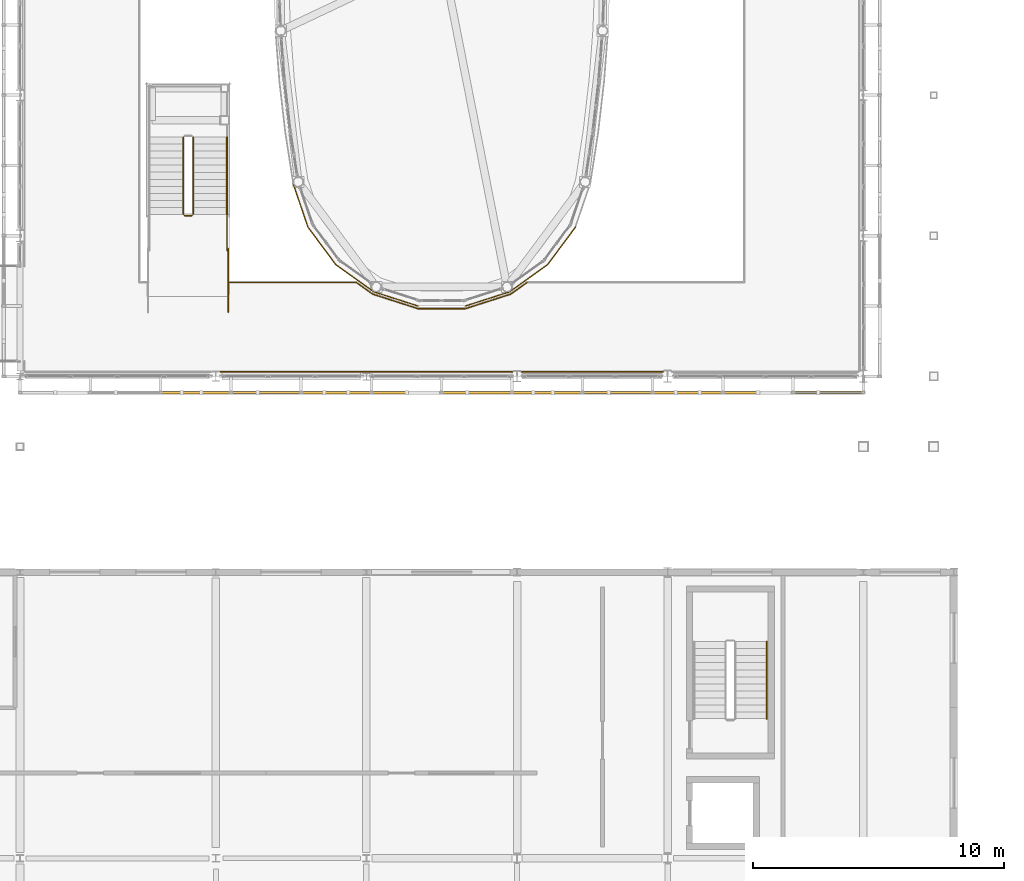
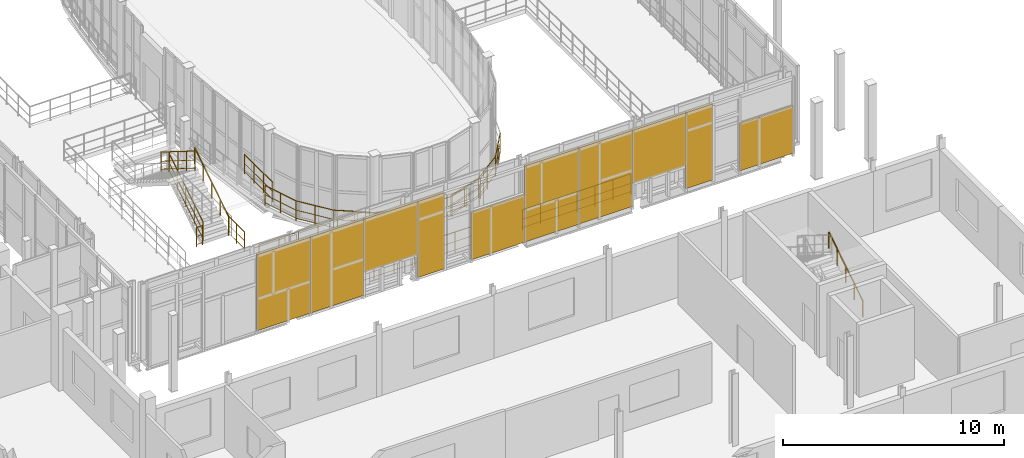
# One storey, part 111 of 121: 17 railings, 10 shading devices.
"""IFC4 building model written with IfcOpenShell, lengths in metres."""

from ifc_helpers import new_model, si_unit, direction, frame, origin, origin_2d, place, context, subcontext, project, spatial, rectangle, circle, extrude, material, type_object, element, save


model = new_model("IFC4")

# Units and contexts
model_context = context("Model", 3, precision=1e-05, world=origin(), true_north=direction((0.0, 1.0)))
body_context = subcontext(model_context, "Body", "Model", "MODEL_VIEW")
ifc_project = project(units=[si_unit("LENGTHUNIT", "METRE"), si_unit("AREAUNIT", "SQUARE_METRE"), si_unit("VOLUMEUNIT", "CUBIC_METRE"), si_unit("PLANEANGLEUNIT", "RADIAN"), si_unit("MASSUNIT", "GRAM", prefix="KILO")], contexts=[model_context])

# Site, building, storey
site_placement = place(None, origin())
site = spatial("IfcSite", under=ifc_project, at=site_placement, CompositionType="ELEMENT")
building_placement = place(site_placement, origin())
building = spatial("IfcBuilding", under=site, at=building_placement, Name="Vinh Khe Railworks Police Headquarters", CompositionType="ELEMENT")
storey_placement = place(building_placement, frame((0.0, 0.0, 4.800048828125)))
storey = spatial("IfcBuildingStorey", under=building, at=storey_placement, Name="L01", CompositionType="ELEMENT", Elevation=4.800048828125)

# Railings
ifc_material_1 = material(Name="Dark steel and laminated safety glass", Category="steel")
railing_type_1 = type_object("IfcRailingType", Name="RL-ATRIUM-1150", PredefinedType="BALUSTRADE", material=ifc_material_1)
railing_1_placement = place(storey_placement, frame((33.300048828125, 31.64990234375, 0.175048828125)))
element("IfcRailing", 1, at=railing_1_placement, inside=storey, type_object=railing_type_1, Name="L01 ST-08 stair guard 1", PredefinedType="BALUSTRADE", context=body_context, shape_type="SweptSolid", body=[
    extrude(circle(Radius=0.02392578125, at=origin_2d()), frame((0.0, 0.0, 1.076171875), z_axis=(0.0, 0.848028513186, 0.529950602248), x_axis=(-1.0, 0.0, 0.0)), (0.0, 0.0, 1.0), 3.632080078125),
    extrude(circle(Radius=0.01416015625, at=origin_2d()), frame((0.0, 0.0, 0.132080078125), z_axis=(0.0, 0.848028513186, 0.529950602248), x_axis=(-1.0, 0.0, 0.0)), (0.0, 0.0, 1.0), 3.632080078125),
    extrude(circle(Radius=0.01416015625, at=origin_2d()), frame((0.0, 0.0, 0.572021484375), z_axis=(0.0, 0.848028513186, 0.529950602248), x_axis=(-1.0, 0.0, 0.0)), (0.0, 0.0, 1.0), 3.632080078125),
    extrude(circle(Radius=0.02099609375, at=origin_2d()), origin(), (0.0, 0.0, 1.0), 1.052001953125),
    extrude(circle(Radius=0.02099609375, at=origin_2d()), frame((0.0, 0.77001953125, 0.481201171875)), (0.0, 0.0, 1.0), 1.052001953125),
    extrude(circle(Radius=0.02099609375, at=origin_2d()), frame((0.0, 1.5400390625, 0.96240234375)), (0.0, 0.0, 1.0), 1.052001953125),
    extrude(circle(Radius=0.02099609375, at=origin_2d()), frame((0.0, 2.31005859375, 1.443603515625)), (0.0, 0.0, 1.0), 1.052001953125),
    extrude(circle(Radius=0.02099609375, at=origin_2d()), frame((0.0, 3.080078125, 1.9248046875)), (0.0, 0.0, 1.0), 1.052001953125),
])
railing_2_placement = place(storey_placement, frame((32.89990234375, 34.72998046875, 2.27490234375)))
element("IfcRailing", 2, at=railing_2_placement, inside=storey, type_object=railing_type_1, Name="L01 ST-08 stair guard 6", PredefinedType="BALUSTRADE", context=body_context, shape_type="SweptSolid", body=[
    extrude(circle(Radius=0.02392578125, at=origin_2d()), frame((0.0, 0.0, 1.076171875), z_axis=(0.0, -0.847998304005, 0.529998940003), x_axis=(1.0, 0.0, 0.0)), (0.0, 0.0, 1.0), 3.632080078125),
    extrude(circle(Radius=0.01416015625, at=origin_2d()), frame((0.0, 0.0, 0.132080078125), z_axis=(0.0, -0.847998304005, 0.529998940003), x_axis=(1.0, 0.0, 0.0)), (0.0, 0.0, 1.0), 3.632080078125),
    extrude(circle(Radius=0.01416015625, at=origin_2d()), frame((0.0, 0.0, 0.572021484375), z_axis=(0.0, -0.847998304005, 0.529998940003), x_axis=(1.0, 0.0, 0.0)), (0.0, 0.0, 1.0), 3.632080078125),
    extrude(circle(Radius=0.02099609375, at=origin_2d()), origin(), (0.0, 0.0, 1.0), 1.052001953125),
    extrude(circle(Radius=0.02099609375, at=origin_2d()), frame((0.0, -0.77001953125, 0.481201171875)), (0.0, 0.0, 1.0), 1.052001953125),
    extrude(circle(Radius=0.02099609375, at=origin_2d()), frame((0.0, -1.5400390625, 0.96240234375)), (0.0, 0.0, 1.0), 1.052001953125),
    extrude(circle(Radius=0.02099609375, at=origin_2d()), frame((0.0, -2.31005859375, 1.44384765625)), (0.0, 0.0, 1.0), 1.052001953125),
    extrude(circle(Radius=0.02099609375, at=origin_2d()), frame((0.0, -3.080078125, 1.925048828125)), (0.0, 0.0, 1.0), 1.052001953125),
])
railing_3_placement = place(storey_placement, frame((33.25, 31.60009765625, 0.0)))
element("IfcRailing", 3, at=railing_3_placement, inside=storey, type_object=railing_type_1, Name="L01 ST-08 stair guard 7", PredefinedType="BALUSTRADE", context=body_context, shape_type="SweptSolid", body=[
    extrude(circle(Radius=0.02392578125, at=origin_2d()), frame((0.0, 0.0, 1.076171875), z_axis=(-1.0, 0.0, 0.0), x_axis=(0.0, -1.0, 0.0)), (0.0, 0.0, 1.0), 0.300048828125),
    extrude(circle(Radius=0.01416015625, at=origin_2d()), frame((0.0, 0.0, 0.132080078125), z_axis=(-1.0, 0.0, 0.0), x_axis=(0.0, -1.0, 0.0)), (0.0, 0.0, 1.0), 0.300048828125),
    extrude(circle(Radius=0.01416015625, at=origin_2d()), frame((0.0, 0.0, 0.572021484375), z_axis=(-1.0, 0.0, 0.0), x_axis=(0.0, -1.0, 0.0)), (0.0, 0.0, 1.0), 0.300048828125),
    extrude(circle(Radius=0.02099609375, at=origin_2d()), origin(), (0.0, 0.0, 1.0), 1.052001953125),
    extrude(circle(Radius=0.02099609375, at=origin_2d()), frame((-0.300048828125, 0.0, 0.0)), (0.0, 0.0, 1.0), 1.052001953125),
])
railing_4_placement = place(storey_placement, frame((34.64990234375, 30.199951171875, 0.0)))
element("IfcRailing", 4, at=railing_4_placement, inside=storey, type_object=railing_type_1, Name="L01 ST-08 stair guard 8", PredefinedType="BALUSTRADE", context=body_context, shape_type="SweptSolid", body=[
    extrude(circle(Radius=0.02392578125, at=origin_2d()), frame((0.0, 0.0, 1.076171875), z_axis=(0.0, 1.0, 0.0), x_axis=(-1.0, 0.0, 0.0)), (0.0, 0.0, 1.0), 1.449951171875),
    extrude(circle(Radius=0.01416015625, at=origin_2d()), frame((0.0, 0.0, 0.132080078125), z_axis=(0.0, 1.0, 0.0), x_axis=(-1.0, 0.0, 0.0)), (0.0, 0.0, 1.0), 1.449951171875),
    extrude(circle(Radius=0.01416015625, at=origin_2d()), frame((0.0, 0.0, 0.572021484375), z_axis=(0.0, 1.0, 0.0), x_axis=(-1.0, 0.0, 0.0)), (0.0, 0.0, 1.0), 1.449951171875),
    extrude(circle(Radius=0.02099609375, at=origin_2d()), origin(), (0.0, 0.0, 1.0), 1.052001953125),
    extrude(circle(Radius=0.02099609375, at=origin_2d()), frame((0.0, 0.72509765625, 0.0)), (0.0, 0.0, 1.0), 1.052001953125),
    extrude(circle(Radius=0.02099609375, at=origin_2d()), frame((0.0, 1.449951171875, 0.0)), (0.0, 0.0, 1.0), 1.052001953125),
])
railing_5_placement = place(storey_placement, frame((34.699951171875, 27.75, 4.199951171875)))
element("IfcRailing", 5, at=railing_5_placement, inside=storey, type_object=railing_type_1, Name="L01 ST-08 stair guard 14", PredefinedType="BALUSTRADE", context=body_context, shape_type="SweptSolid", body=[
    extrude(circle(Radius=0.02392578125, at=origin_2d()), frame((0.0, 0.0, 1.076171875), z_axis=(0.0, 1.0, 0.0), x_axis=(-1.0, 0.0, 0.0)), (0.0, 0.0, 1.0), 2.550048828125),
    extrude(circle(Radius=0.01416015625, at=origin_2d()), frame((0.0, 0.0, 0.132080078125), z_axis=(0.0, 1.0, 0.0), x_axis=(-1.0, 0.0, 0.0)), (0.0, 0.0, 1.0), 2.550048828125),
    extrude(circle(Radius=0.01416015625, at=origin_2d()), frame((0.0, 0.0, 0.572021484375), z_axis=(0.0, 1.0, 0.0), x_axis=(-1.0, 0.0, 0.0)), (0.0, 0.0, 1.0), 2.550048828125),
    extrude(circle(Radius=0.02099609375, at=origin_2d()), origin(), (0.0, 0.0, 1.0), 1.052001953125),
    extrude(circle(Radius=0.02099609375, at=origin_2d()), frame((0.0, 0.85009765625, 0.0)), (0.0, 0.0, 1.0), 1.052001953125),
    extrude(circle(Radius=0.02099609375, at=origin_2d()), frame((0.0, 1.699951171875, 0.0)), (0.0, 0.0, 1.0), 1.052001953125),
    extrude(circle(Radius=0.02099609375, at=origin_2d()), frame((0.0, 2.550048828125, 0.0)), (0.0, 0.0, 1.0), 1.052001953125),
])
railing_6_placement = place(storey_placement, frame((46.60302734375, 28.93994140625, 0.0)))
element("IfcRailing", 6, at=railing_6_placement, inside=storey, type_object=railing_type_1, Name="Atrium Balustrade GR-V1HOLE-L01-1-01", PredefinedType="BALUSTRADE", context=body_context, shape_type="SweptSolid", body=[
    extrude(circle(Radius=0.02392578125, at=origin_2d()), frame((0.0, 0.0, 1.1259765625), z_axis=(-0.813239627332, -0.581928954887, 0.0), x_axis=(0.581928954887, -0.813239627332, 0.0)), (0.0, 0.0, 1.0), 0.80224609375),
    extrude(circle(Radius=0.01416015625, at=origin_2d()), frame((0.0, 0.0, 0.137939453125), z_axis=(-0.813239627332, -0.581928954887, 0.0), x_axis=(0.581928954887, -0.813239627332, 0.0)), (0.0, 0.0, 1.0), 0.80224609375),
    extrude(circle(Radius=0.01416015625, at=origin_2d()), frame((0.0, 0.0, 0.597900390625), z_axis=(-0.813239627332, -0.581928954887, 0.0), x_axis=(0.581928954887, -0.813239627332, 0.0)), (0.0, 0.0, 1.0), 0.80224609375),
    extrude(circle(Radius=0.02392578125, at=origin_2d()), frame((-0.65234375, -0.466796875, 1.1259765625), z_axis=(-0.952155884795, -0.305612779592, 0.0), x_axis=(0.305612779592, -0.952155884795, 0.0)), (0.0, 0.0, 1.0), 1.89404296875),
    extrude(circle(Radius=0.01416015625, at=origin_2d()), frame((-0.65234375, -0.466796875, 0.137939453125), z_axis=(-0.952155884795, -0.305612779592, 0.0), x_axis=(0.305612779592, -0.952155884795, 0.0)), (0.0, 0.0, 1.0), 1.89404296875),
    extrude(circle(Radius=0.01416015625, at=origin_2d()), frame((-0.65234375, -0.466796875, 0.597900390625), z_axis=(-0.952155884795, -0.305612779592, 0.0), x_axis=(0.305612779592, -0.952155884795, 0.0)), (0.0, 0.0, 1.0), 1.89404296875),
    extrude(circle(Radius=0.02392578125, at=origin_2d()), frame((-2.455810546875, -1.045654296875, 1.1259765625), z_axis=(-1.0, 0.0, 0.0), x_axis=(0.0, -1.0, 0.0)), (0.0, 0.0, 1.0), 1.894287109375),
    extrude(circle(Radius=0.01416015625, at=origin_2d()), frame((-2.455810546875, -1.045654296875, 0.137939453125), z_axis=(-1.0, 0.0, 0.0), x_axis=(0.0, -1.0, 0.0)), (0.0, 0.0, 1.0), 1.894287109375),
    extrude(circle(Radius=0.01416015625, at=origin_2d()), frame((-2.455810546875, -1.045654296875, 0.597900390625), z_axis=(-1.0, 0.0, 0.0), x_axis=(0.0, -1.0, 0.0)), (0.0, 0.0, 1.0), 1.894287109375),
    extrude(circle(Radius=0.02392578125, at=origin_2d()), frame((-4.35009765625, -1.045654296875, 1.1259765625), z_axis=(-0.952155884795, 0.305612779592, 0.0), x_axis=(-0.305612779592, -0.952155884795, 0.0)), (0.0, 0.0, 1.0), 1.89404296875),
    extrude(circle(Radius=0.01416015625, at=origin_2d()), frame((-4.35009765625, -1.045654296875, 0.137939453125), z_axis=(-0.952155884795, 0.305612779592, 0.0), x_axis=(-0.305612779592, -0.952155884795, 0.0)), (0.0, 0.0, 1.0), 1.89404296875),
    extrude(circle(Radius=0.01416015625, at=origin_2d()), frame((-4.35009765625, -1.045654296875, 0.597900390625), z_axis=(-0.952155884795, 0.305612779592, 0.0), x_axis=(-0.305612779592, -0.952155884795, 0.0)), (0.0, 0.0, 1.0), 1.89404296875),
    extrude(circle(Radius=0.02392578125, at=origin_2d()), frame((-6.153564453125, -0.466796875, 1.1259765625), z_axis=(-0.813342656641, 0.581784945566, 0.0), x_axis=(-0.581784945566, -0.813342656641, 0.0)), (0.0, 0.0, 1.0), 0.80224609375),
    extrude(circle(Radius=0.01416015625, at=origin_2d()), frame((-6.153564453125, -0.466796875, 0.137939453125), z_axis=(-0.813342656641, 0.581784945566, 0.0), x_axis=(-0.581784945566, -0.813342656641, 0.0)), (0.0, 0.0, 1.0), 0.80224609375),
    extrude(circle(Radius=0.01416015625, at=origin_2d()), frame((-6.153564453125, -0.466796875, 0.597900390625), z_axis=(-0.813342656641, 0.581784945566, 0.0), x_axis=(-0.581784945566, -0.813342656641, 0.0)), (0.0, 0.0, 1.0), 0.80224609375),
    extrude(circle(Radius=0.02392578125, at=origin_2d()), frame((-6.80615234375, 0.0, 1.1259765625), z_axis=(-1.0, 0.0, 0.0), x_axis=(0.0, -1.0, 0.0)), (0.0, 0.0, 1.0), 5.116943359375),
    extrude(circle(Radius=0.01416015625, at=origin_2d()), frame((-6.80615234375, 0.0, 0.137939453125), z_axis=(-1.0, 0.0, 0.0), x_axis=(0.0, -1.0, 0.0)), (0.0, 0.0, 1.0), 5.116943359375),
    extrude(circle(Radius=0.01416015625, at=origin_2d()), frame((-6.80615234375, 0.0, 0.597900390625), z_axis=(-1.0, 0.0, 0.0), x_axis=(0.0, -1.0, 0.0)), (0.0, 0.0, 1.0), 5.116943359375),
    extrude(circle(Radius=0.02099609375, at=origin_2d()), origin(), (0.0, 0.0, 1.0), 1.101806640625),
    extrude(circle(Radius=0.02099609375, at=origin_2d()), frame((-0.65234375, -0.466796875, 0.0)), (0.0, 0.0, 1.0), 1.101806640625),
    extrude(circle(Radius=0.02099609375, at=origin_2d()), frame((-1.55419921875, -0.75634765625, 0.0)), (0.0, 0.0, 1.0), 1.101806640625),
    extrude(circle(Radius=0.02099609375, at=origin_2d()), frame((-2.455810546875, -1.045654296875, 0.0)), (0.0, 0.0, 1.0), 1.101806640625),
    extrude(circle(Radius=0.02099609375, at=origin_2d()), frame((-3.40283203125, -1.045654296875, 0.0)), (0.0, 0.0, 1.0), 1.101806640625),
    extrude(circle(Radius=0.02099609375, at=origin_2d()), frame((-4.35009765625, -1.045654296875, 0.0)), (0.0, 0.0, 1.0), 1.101806640625),
    extrude(circle(Radius=0.02099609375, at=origin_2d()), frame((-5.251953125, -0.75634765625, 0.0)), (0.0, 0.0, 1.0), 1.101806640625),
    extrude(circle(Radius=0.02099609375, at=origin_2d()), frame((-6.153564453125, -0.466796875, 0.0)), (0.0, 0.0, 1.0), 1.101806640625),
    extrude(circle(Radius=0.02099609375, at=origin_2d()), frame((-6.80615234375, 0.0, 0.0)), (0.0, 0.0, 1.0), 1.101806640625),
    extrude(circle(Radius=0.02099609375, at=origin_2d()), frame((-7.82958984375, 0.0, 0.0)), (0.0, 0.0, 1.0), 1.101806640625),
    extrude(circle(Radius=0.02099609375, at=origin_2d()), frame((-8.85302734375, 0.0, 0.0)), (0.0, 0.0, 1.0), 1.101806640625),
    extrude(circle(Radius=0.02099609375, at=origin_2d()), frame((-9.876220703125, 0.0, 0.0)), (0.0, 0.0, 1.0), 1.101806640625),
    extrude(circle(Radius=0.02099609375, at=origin_2d()), frame((-10.899658203125, 0.0, 0.0)), (0.0, 0.0, 1.0), 1.101806640625),
    extrude(circle(Radius=0.02099609375, at=origin_2d()), frame((-11.923095703125, 0.0, 0.0)), (0.0, 0.0, 1.0), 1.101806640625),
])
railing_7_placement = place(storey_placement, frame((34.375, 25.3798828125, 0.0)))
element("IfcRailing", 7, at=railing_7_placement, inside=storey, type_object=railing_type_1, Name="Atrium Balustrade GR-V1PERIM-L01-02", PredefinedType="BALUSTRADE", context=body_context, shape_type="SweptSolid", body=[
    extrude(circle(Radius=0.02392578125, at=origin_2d()), frame((0.0, 0.0, 1.1259765625), z_axis=(1.0, 0.0, 0.0), x_axis=(0.0, 1.0, 0.0)), (0.0, 0.0, 1.0), 11.64990234375),
    extrude(circle(Radius=0.01416015625, at=origin_2d()), frame((0.0, 0.0, 0.137939453125), z_axis=(1.0, 0.0, 0.0), x_axis=(0.0, 1.0, 0.0)), (0.0, 0.0, 1.0), 11.64990234375),
    extrude(circle(Radius=0.01416015625, at=origin_2d()), frame((0.0, 0.0, 0.597900390625), z_axis=(1.0, 0.0, 0.0), x_axis=(0.0, 1.0, 0.0)), (0.0, 0.0, 1.0), 11.64990234375),
    extrude(circle(Radius=0.02099609375, at=origin_2d()), origin(), (0.0, 0.0, 1.0), 1.101806640625),
    extrude(circle(Radius=0.02099609375, at=origin_2d()), frame((1.05908203125, 0.0, 0.0)), (0.0, 0.0, 1.0), 1.101806640625),
    extrude(circle(Radius=0.02099609375, at=origin_2d()), frame((2.1181640625, 0.0, 0.0)), (0.0, 0.0, 1.0), 1.101806640625),
    extrude(circle(Radius=0.02099609375, at=origin_2d()), frame((3.17724609375, 0.0, 0.0)), (0.0, 0.0, 1.0), 1.101806640625),
    extrude(circle(Radius=0.02099609375, at=origin_2d()), frame((4.236328125, 0.0, 0.0)), (0.0, 0.0, 1.0), 1.101806640625),
    extrude(circle(Radius=0.02099609375, at=origin_2d()), frame((5.29541015625, 0.0, 0.0)), (0.0, 0.0, 1.0), 1.101806640625),
    extrude(circle(Radius=0.02099609375, at=origin_2d()), frame((6.3544921875, 0.0, 0.0)), (0.0, 0.0, 1.0), 1.101806640625),
    extrude(circle(Radius=0.02099609375, at=origin_2d()), frame((7.41357421875, 0.0, 0.0)), (0.0, 0.0, 1.0), 1.101806640625),
    extrude(circle(Radius=0.02099609375, at=origin_2d()), frame((8.47265625, 0.0, 0.0)), (0.0, 0.0, 1.0), 1.101806640625),
    extrude(circle(Radius=0.02099609375, at=origin_2d()), frame((9.53173828125, 0.0, 0.0)), (0.0, 0.0, 1.0), 1.101806640625),
    extrude(circle(Radius=0.02099609375, at=origin_2d()), frame((10.5908203125, 0.0, 0.0)), (0.0, 0.0, 1.0), 1.101806640625),
    extrude(circle(Radius=0.02099609375, at=origin_2d()), frame((11.64990234375, 0.0, 0.0)), (0.0, 0.0, 1.0), 1.101806640625),
])
railing_8_placement = place(storey_placement, frame((46.375, 25.3798828125, 0.0)))
element("IfcRailing", 8, at=railing_8_placement, inside=storey, type_object=railing_type_1, Name="Atrium Balustrade GR-V1PERIM-L01-03", PredefinedType="BALUSTRADE", context=body_context, shape_type="SweptSolid", body=[
    extrude(circle(Radius=0.02392578125, at=origin_2d()), frame((0.0, 0.0, 1.1259765625), z_axis=(1.0, 0.0, 0.0), x_axis=(0.0, 1.0, 0.0)), (0.0, 0.0, 1.0), 5.64990234375),
    extrude(circle(Radius=0.01416015625, at=origin_2d()), frame((0.0, 0.0, 0.137939453125), z_axis=(1.0, 0.0, 0.0), x_axis=(0.0, 1.0, 0.0)), (0.0, 0.0, 1.0), 5.64990234375),
    extrude(circle(Radius=0.01416015625, at=origin_2d()), frame((0.0, 0.0, 0.597900390625), z_axis=(1.0, 0.0, 0.0), x_axis=(0.0, 1.0, 0.0)), (0.0, 0.0, 1.0), 5.64990234375),
    extrude(circle(Radius=0.02099609375, at=origin_2d()), origin(), (0.0, 0.0, 1.0), 1.101806640625),
    extrude(circle(Radius=0.02099609375, at=origin_2d()), frame((0.941650390625, 0.0, 0.0)), (0.0, 0.0, 1.0), 1.101806640625),
    extrude(circle(Radius=0.02099609375, at=origin_2d()), frame((1.88330078125, 0.0, 0.0)), (0.0, 0.0, 1.0), 1.101806640625),
    extrude(circle(Radius=0.02099609375, at=origin_2d()), frame((2.824951171875, 0.0, 0.0)), (0.0, 0.0, 1.0), 1.101806640625),
    extrude(circle(Radius=0.02099609375, at=origin_2d()), frame((3.7666015625, 0.0, 0.0)), (0.0, 0.0, 1.0), 1.101806640625),
    extrude(circle(Radius=0.02099609375, at=origin_2d()), frame((4.708251953125, 0.0, 0.0)), (0.0, 0.0, 1.0), 1.101806640625),
    extrude(circle(Radius=0.02099609375, at=origin_2d()), frame((5.64990234375, 0.0, 0.0)), (0.0, 0.0, 1.0), 1.101806640625),
])
ifc_material_2 = material(Name="Painted tubular steel", Category="steel")
railing_type_2 = type_object("IfcRailingType", Name="RL-GUARD-1100", PredefinedType="GUARDRAIL", material=ifc_material_2)
railing_9_placement = place(storey_placement, frame((37.2724609375, 32.891357421875, 0.0)))
element("IfcRailing", 9, at=railing_9_placement, inside=storey, type_object=railing_type_2, Name="Slab Corner Notch Guard L01-39", PredefinedType="GUARDRAIL", context=body_context, shape_type="SweptSolid", body=[
    extrude(circle(Radius=0.02392578125, at=origin_2d()), frame((0.0, 0.0, 1.09619140625), z_axis=(0.322800371267, -0.946467073019, 0.0), x_axis=(0.946467073019, 0.322800371267, 0.0)), (0.0, 0.0, 1.0), 1.84765625),
    extrude(circle(Radius=0.01416015625, at=origin_2d()), frame((0.0, 0.0, 0.134521484375), z_axis=(0.322800371267, -0.946467073019, 0.0), x_axis=(0.946467073019, 0.322800371267, 0.0)), (0.0, 0.0, 1.0), 1.84765625),
    extrude(circle(Radius=0.01416015625, at=origin_2d()), frame((0.0, 0.0, 0.58251953125), z_axis=(0.322800371267, -0.946467073019, 0.0), x_axis=(0.946467073019, 0.322800371267, 0.0)), (0.0, 0.0, 1.0), 1.84765625),
    extrude(circle(Radius=0.02099609375, at=origin_2d()), origin(), (0.0, 0.0, 1.0), 1.072021484375),
    extrude(circle(Radius=0.02099609375, at=origin_2d()), frame((0.29833984375, -0.87451171875, 0.0)), (0.0, 0.0, 1.0), 1.072021484375),
    extrude(circle(Radius=0.02099609375, at=origin_2d()), frame((0.596435546875, -1.748779296875, 0.0)), (0.0, 0.0, 1.0), 1.072021484375),
])
railing_10_placement = place(storey_placement, frame((37.868896484375, 31.142578125, 0.0)))
element("IfcRailing", 10, at=railing_10_placement, inside=storey, type_object=railing_type_2, Name="Slab Corner Notch Guard L01-40", PredefinedType="GUARDRAIL", context=body_context, shape_type="SweptSolid", body=[
    extrude(circle(Radius=0.02392578125, at=origin_2d()), frame((0.0, 0.0, 1.09619140625), z_axis=(0.596471188122, -0.802634488257, 0.0), x_axis=(0.802634488257, 0.596471188122, 0.0)), (0.0, 0.0, 1.0), 1.86279296875),
    extrude(circle(Radius=0.01416015625, at=origin_2d()), frame((0.0, 0.0, 0.134521484375), z_axis=(0.596471188122, -0.802634488257, 0.0), x_axis=(0.802634488257, 0.596471188122, 0.0)), (0.0, 0.0, 1.0), 1.86279296875),
    extrude(circle(Radius=0.01416015625, at=origin_2d()), frame((0.0, 0.0, 0.58251953125), z_axis=(0.596471188122, -0.802634488257, 0.0), x_axis=(0.802634488257, 0.596471188122, 0.0)), (0.0, 0.0, 1.0), 1.86279296875),
    extrude(circle(Radius=0.02099609375, at=origin_2d()), origin(), (0.0, 0.0, 1.0), 1.072021484375),
    extrude(circle(Radius=0.02099609375, at=origin_2d()), frame((0.5556640625, -0.74755859375, 0.0)), (0.0, 0.0, 1.0), 1.072021484375),
    extrude(circle(Radius=0.02099609375, at=origin_2d()), frame((1.111083984375, -1.4951171875, 0.0)), (0.0, 0.0, 1.0), 1.072021484375),
])
railing_11_placement = place(storey_placement, frame((38.97998046875, 29.6474609375, 0.0)))
element("IfcRailing", 11, at=railing_11_placement, inside=storey, type_object=railing_type_2, Name="Slab Corner Notch Guard L01-41", PredefinedType="GUARDRAIL", context=body_context, shape_type="SweptSolid", body=[
    extrude(circle(Radius=0.02392578125, at=origin_2d()), frame((0.0, 0.0, 1.09619140625), z_axis=(0.813308151852, -0.581833180672, 0.0), x_axis=(0.581833180672, 0.813308151852, 0.0)), (0.0, 0.0, 1.0), 1.862548828125),
    extrude(circle(Radius=0.01416015625, at=origin_2d()), frame((0.0, 0.0, 0.134521484375), z_axis=(0.813308151852, -0.581833180672, 0.0), x_axis=(0.581833180672, 0.813308151852, 0.0)), (0.0, 0.0, 1.0), 1.862548828125),
    extrude(circle(Radius=0.01416015625, at=origin_2d()), frame((0.0, 0.0, 0.58251953125), z_axis=(0.813308151852, -0.581833180672, 0.0), x_axis=(0.581833180672, 0.813308151852, 0.0)), (0.0, 0.0, 1.0), 1.862548828125),
    extrude(circle(Radius=0.02099609375, at=origin_2d()), origin(), (0.0, 0.0, 1.0), 1.072021484375),
    extrude(circle(Radius=0.02099609375, at=origin_2d()), frame((0.75732421875, -0.5419921875, 0.0)), (0.0, 0.0, 1.0), 1.072021484375),
    extrude(circle(Radius=0.02099609375, at=origin_2d()), frame((1.514892578125, -1.083740234375, 0.0)), (0.0, 0.0, 1.0), 1.072021484375),
])
railing_12_placement = place(storey_placement, frame((40.494873046875, 28.563720703125, 0.0)))
element("IfcRailing", 12, at=railing_12_placement, inside=storey, type_object=railing_type_2, Name="Slab Corner Notch Guard L01-42", PredefinedType="GUARDRAIL", context=body_context, shape_type="SweptSolid", body=[
    extrude(circle(Radius=0.02392578125, at=origin_2d()), frame((0.0, 0.0, 1.09619140625), z_axis=(0.952149849354, -0.305631582752, 0.0), x_axis=(0.305631582752, 0.952149849354, 0.0)), (0.0, 0.0, 1.0), 1.86279296875),
    extrude(circle(Radius=0.01416015625, at=origin_2d()), frame((0.0, 0.0, 0.134521484375), z_axis=(0.952149849354, -0.305631582752, 0.0), x_axis=(0.305631582752, 0.952149849354, 0.0)), (0.0, 0.0, 1.0), 1.86279296875),
    extrude(circle(Radius=0.01416015625, at=origin_2d()), frame((0.0, 0.0, 0.58251953125), z_axis=(0.952149849354, -0.305631582752, 0.0), x_axis=(0.305631582752, 0.952149849354, 0.0)), (0.0, 0.0, 1.0), 1.86279296875),
    extrude(circle(Radius=0.02099609375, at=origin_2d()), origin(), (0.0, 0.0, 1.0), 1.072021484375),
    extrude(circle(Radius=0.02099609375, at=origin_2d()), frame((0.88671875, -0.28466796875, 0.0)), (0.0, 0.0, 1.0), 1.072021484375),
    extrude(circle(Radius=0.02099609375, at=origin_2d()), frame((1.773681640625, -0.5693359375, 0.0)), (0.0, 0.0, 1.0), 1.072021484375),
])
railing_13_placement = place(storey_placement, frame((44.13134765625, 27.994384765625, 0.0)))
element("IfcRailing", 13, at=railing_13_placement, inside=storey, type_object=railing_type_2, Name="Slab Corner Notch Guard L01-43", PredefinedType="GUARDRAIL", context=body_context, shape_type="SweptSolid", body=[
    extrude(circle(Radius=0.02392578125, at=origin_2d()), frame((0.0, 0.0, 1.09619140625), z_axis=(0.952149849354, 0.305631582752, 0.0), x_axis=(-0.305631582752, 0.952149849354, 0.0)), (0.0, 0.0, 1.0), 1.86279296875),
    extrude(circle(Radius=0.01416015625, at=origin_2d()), frame((0.0, 0.0, 0.134521484375), z_axis=(0.952149849354, 0.305631582752, 0.0), x_axis=(-0.305631582752, 0.952149849354, 0.0)), (0.0, 0.0, 1.0), 1.86279296875),
    extrude(circle(Radius=0.01416015625, at=origin_2d()), frame((0.0, 0.0, 0.58251953125), z_axis=(0.952149849354, 0.305631582752, 0.0), x_axis=(-0.305631582752, 0.952149849354, 0.0)), (0.0, 0.0, 1.0), 1.86279296875),
    extrude(circle(Radius=0.02099609375, at=origin_2d()), origin(), (0.0, 0.0, 1.0), 1.072021484375),
    extrude(circle(Radius=0.02099609375, at=origin_2d()), frame((0.88671875, 0.28466796875, 0.0)), (0.0, 0.0, 1.0), 1.072021484375),
    extrude(circle(Radius=0.02099609375, at=origin_2d()), frame((1.773681640625, 0.5693359375, 0.0)), (0.0, 0.0, 1.0), 1.072021484375),
])
railing_14_placement = place(storey_placement, frame((45.905029296875, 28.563720703125, 0.0)))
element("IfcRailing", 14, at=railing_14_placement, inside=storey, type_object=railing_type_2, Name="Slab Corner Notch Guard L01-44", PredefinedType="GUARDRAIL", context=body_context, shape_type="SweptSolid", body=[
    extrude(circle(Radius=0.02392578125, at=origin_2d()), frame((0.0, 0.0, 1.09619140625), z_axis=(0.813308151852, 0.581833180672, 0.0), x_axis=(-0.581833180672, 0.813308151852, 0.0)), (0.0, 0.0, 1.0), 1.862548828125),
    extrude(circle(Radius=0.01416015625, at=origin_2d()), frame((0.0, 0.0, 0.134521484375), z_axis=(0.813308151852, 0.581833180672, 0.0), x_axis=(-0.581833180672, 0.813308151852, 0.0)), (0.0, 0.0, 1.0), 1.862548828125),
    extrude(circle(Radius=0.01416015625, at=origin_2d()), frame((0.0, 0.0, 0.58251953125), z_axis=(0.813308151852, 0.581833180672, 0.0), x_axis=(-0.581833180672, 0.813308151852, 0.0)), (0.0, 0.0, 1.0), 1.862548828125),
    extrude(circle(Radius=0.02099609375, at=origin_2d()), origin(), (0.0, 0.0, 1.0), 1.072021484375),
    extrude(circle(Radius=0.02099609375, at=origin_2d()), frame((0.75732421875, 0.5419921875, 0.0)), (0.0, 0.0, 1.0), 1.072021484375),
    extrude(circle(Radius=0.02099609375, at=origin_2d()), frame((1.514892578125, 1.083740234375, 0.0)), (0.0, 0.0, 1.0), 1.072021484375),
])
railing_15_placement = place(storey_placement, frame((47.419921875, 29.6474609375, 0.0)))
element("IfcRailing", 15, at=railing_15_placement, inside=storey, type_object=railing_type_2, Name="Slab Corner Notch Guard L01-45", PredefinedType="GUARDRAIL", context=body_context, shape_type="SweptSolid", body=[
    extrude(circle(Radius=0.02392578125, at=origin_2d()), frame((0.0, 0.0, 1.09619140625), z_axis=(0.596555612397, 0.802571742162, 0.0), x_axis=(-0.802571742162, 0.596555612397, 0.0)), (0.0, 0.0, 1.0), 1.86279296875),
    extrude(circle(Radius=0.01416015625, at=origin_2d()), frame((0.0, 0.0, 0.134521484375), z_axis=(0.596555612397, 0.802571742162, 0.0), x_axis=(-0.802571742162, 0.596555612397, 0.0)), (0.0, 0.0, 1.0), 1.86279296875),
    extrude(circle(Radius=0.01416015625, at=origin_2d()), frame((0.0, 0.0, 0.58251953125), z_axis=(0.596555612397, 0.802571742162, 0.0), x_axis=(-0.802571742162, 0.596555612397, 0.0)), (0.0, 0.0, 1.0), 1.86279296875),
    extrude(circle(Radius=0.02099609375, at=origin_2d()), origin(), (0.0, 0.0, 1.0), 1.072021484375),
    extrude(circle(Radius=0.02099609375, at=origin_2d()), frame((0.5556640625, 0.74755859375, 0.0)), (0.0, 0.0, 1.0), 1.072021484375),
    extrude(circle(Radius=0.02099609375, at=origin_2d()), frame((1.111328125, 1.4951171875, 0.0)), (0.0, 0.0, 1.0), 1.072021484375),
])
ifc_material_3 = material(Name="Brushed stainless steel", Category="steel")
railing_type_3 = type_object("IfcRailingType", Name="RL-HAND-900", PredefinedType="HANDRAIL", material=ifc_material_3)
railing_16_placement = place(storey_placement, frame((56.14990234375, 11.550048828125, 0.175048828125)))
element("IfcRailing", 16, at=railing_16_placement, inside=storey, type_object=railing_type_3, Name="L01 ST-05 stair handrail 1", PredefinedType="HANDRAIL", context=body_context, shape_type="SweptSolid", body=[
    extrude(circle(Radius=0.02392578125, at=origin_2d()), frame((0.0, 0.0, 0.8759765625), z_axis=(0.0, 0.848009633417, 0.529980812513), x_axis=(-1.0, 0.0, 0.0)), (0.0, 0.0, 1.0), 3.6318359375),
    extrude(circle(Radius=0.02099609375, at=origin_2d()), origin(), (0.0, 0.0, 1.0), 0.851806640625),
    extrude(circle(Radius=0.02099609375, at=origin_2d()), frame((0.0, 0.77001953125, 0.481201171875)), (0.0, 0.0, 1.0), 0.851806640625),
    extrude(circle(Radius=0.02099609375, at=origin_2d()), frame((0.0, 1.5400390625, 0.96240234375)), (0.0, 0.0, 1.0), 0.851806640625),
    extrude(circle(Radius=0.02099609375, at=origin_2d()), frame((0.0, 2.309814453125, 1.443603515625)), (0.0, 0.0, 1.0), 0.851806640625),
    extrude(circle(Radius=0.02099609375, at=origin_2d()), frame((0.0, 3.079833984375, 1.9248046875)), (0.0, 0.0, 1.0), 0.851806640625),
])
railing_17_placement = place(storey_placement, frame((34.64990234375, 31.64990234375, 0.175048828125)))
element("IfcRailing", 17, at=railing_17_placement, inside=storey, type_object=railing_type_3, Name="L01 ST-08 stair handrail 1", PredefinedType="HANDRAIL", context=body_context, shape_type="SweptSolid", body=[
    extrude(circle(Radius=0.02392578125, at=origin_2d()), frame((0.0, 0.0, 0.8759765625), z_axis=(0.0, 0.848028513186, 0.529950602248), x_axis=(-1.0, 0.0, 0.0)), (0.0, 0.0, 1.0), 3.632080078125),
    extrude(circle(Radius=0.02099609375, at=origin_2d()), origin(), (0.0, 0.0, 1.0), 0.851806640625),
    extrude(circle(Radius=0.02099609375, at=origin_2d()), frame((0.0, 0.77001953125, 0.481201171875)), (0.0, 0.0, 1.0), 0.851806640625),
    extrude(circle(Radius=0.02099609375, at=origin_2d()), frame((0.0, 1.5400390625, 0.96240234375)), (0.0, 0.0, 1.0), 0.851806640625),
    extrude(circle(Radius=0.02099609375, at=origin_2d()), frame((0.0, 2.31005859375, 1.443603515625)), (0.0, 0.0, 1.0), 0.851806640625),
    extrude(circle(Radius=0.02099609375, at=origin_2d()), frame((0.0, 3.080078125, 1.9248046875)), (0.0, 0.0, 1.0), 0.851806640625),
])

# Shading devices
ifc_material_4 = material(Name="Salvaged ironwood timber", Category="wood")
shading_device_type_1 = type_object("IfcShadingDeviceType", Name="SHD-QS-01", PredefinedType="JALOUSIE", material=ifc_material_4)
shading_device_1_placement = place(storey_placement, frame((39.0, 24.550048828125, 1.260009765625), z_axis=(0.0, 0.0, 1.0), x_axis=(1.0, 0.0, 0.0)))
element("IfcShadingDevice", 18, at=shading_device_1_placement, inside=storey, type_object=shading_device_type_1, Name="Salvaged Ironwood Upper Quilt Frame S-5", PredefinedType="JALOUSIE", context=body_context, shape_type="SweptSolid", body=[
    extrude(rectangle(XDim=2.800048828125, YDim=0.090087890625, at=origin_2d()), origin(), (0.0, 0.0, 1.0), 2.93994140625),
])
shading_device_2_placement = place(storey_placement, frame((44.60009765625, 24.550048828125, 0.0), z_axis=(0.0, 0.0, 1.0), x_axis=(1.0, 0.0, 0.0)))
element("IfcShadingDevice", 19, at=shading_device_2_placement, inside=storey, type_object=shading_device_type_1, Name="Salvaged Ironwood Quilt Casement S-7", PredefinedType="JALOUSIE", context=body_context, shape_type="SweptSolid", body=[
    extrude(rectangle(XDim=2.800048828125, YDim=0.090087890625, at=origin_2d()), origin(), (0.0, 0.0, 1.0), 2.60400390625),
])
shading_device_3_placement = place(storey_placement, frame((53.0, 24.550048828125, 1.260009765625), z_axis=(0.0, 0.0, 1.0), x_axis=(1.0, 0.0, 0.0)))
element("IfcShadingDevice", 20, at=shading_device_3_placement, inside=storey, type_object=shading_device_type_1, Name="Salvaged Ironwood Upper Quilt Frame S-10", PredefinedType="JALOUSIE", context=body_context, shape_type="SweptSolid", body=[
    extrude(rectangle(XDim=2.800048828125, YDim=0.090087890625, at=origin_2d()), origin(), (0.0, 0.0, 1.0), 2.93994140625),
])
shading_device_4_placement = place(storey_placement, frame((58.60009765625, 24.550048828125, 0.0), z_axis=(0.0, 0.0, 1.0), x_axis=(1.0, 0.0, 0.0)))
element("IfcShadingDevice", 21, at=shading_device_4_placement, inside=storey, type_object=shading_device_type_1, Name="Salvaged Ironwood Quilt Casement S-12", PredefinedType="JALOUSIE", context=body_context, shape_type="SweptSolid", body=[
    extrude(rectangle(XDim=2.800048828125, YDim=0.090087890625, at=origin_2d()), origin(), (0.0, 0.0, 1.0), 2.60400390625),
])
shading_device_type_2 = type_object("IfcShadingDeviceType", Name="SHD-QS-02", PredefinedType="JALOUSIE", material=ifc_material_4)
for number, where, z_axis, x_axis, name in (
    (22, (41.10009765625, 24.550048828125, 0.0), (0.0, 0.0, 1.0), (1.0, 0.0, 0.0), "Ironwood Tall Quilt Casement S-6L"),
    (23, (55.10009765625, 24.550048828125, 0.0), (0.0, 0.0, 1.0), (1.0, 0.0, 0.0), "Ironwood Tall Quilt Casement S-11L"),
):
    element("IfcShadingDevice", number, at=place(storey_placement, frame(where, z_axis=z_axis, x_axis=x_axis)), inside=storey, type_object=shading_device_type_2, Name=name, PredefinedType="JALOUSIE", context=body_context, shape_type="SweptSolid", body=[
        extrude(rectangle(XDim=1.39990234375, YDim=0.090087890625, at=origin_2d()), origin(), (0.0, 0.0, 1.0), 4.199951171875),
    ])
ifc_material_5 = material(Name="Weathered architectural steel", Category="steel")
shading_device_type_3 = type_object("IfcShadingDeviceType", Name="SHD-QS-03", PredefinedType="SHUTTER", material=ifc_material_5)
for number, where, z_axis, x_axis, name in (
    (24, (36.199951171875, 24.550048828125, 0.0), (0.0, 0.0, 1.0), (1.0, 0.0, 0.0), "Dark Steel Patchwork Casement Frame S-4"),
    (25, (50.199951171875, 24.550048828125, 0.0), (0.0, 0.0, 1.0), (1.0, 0.0, 0.0), "Dark Steel Patchwork Casement Frame S-9"),
):
    element("IfcShadingDevice", number, at=place(storey_placement, frame(where, z_axis=z_axis, x_axis=x_axis)), inside=storey, type_object=shading_device_type_3, Name=name, PredefinedType="SHUTTER", context=body_context, shape_type="SweptSolid", body=[
        extrude(rectangle(XDim=2.800048828125, YDim=0.080078125, at=origin_2d()), origin(), (0.0, 0.0, 1.0), 4.199951171875),
    ])
shading_device_type_4 = type_object("IfcShadingDeviceType", Name="SHD-QS-04", PredefinedType="SHUTTER", material=ifc_material_4)
for number, where, z_axis, x_axis, name in (
    (26, (33.39990234375, 24.550048828125, 0.0), (0.0, 0.0, 1.0), (1.0, 0.0, 0.0), "Shuttered Ironwood Casement S-3"),
    (27, (47.39990234375, 24.550048828125, 0.0), (0.0, 0.0, 1.0), (1.0, 0.0, 0.0), "Shuttered Ironwood Casement S-8"),
):
    element("IfcShadingDevice", number, at=place(storey_placement, frame(where, z_axis=z_axis, x_axis=x_axis)), inside=storey, type_object=shading_device_type_4, Name=name, PredefinedType="SHUTTER", context=body_context, shape_type="SweptSolid", body=[
        extrude(rectangle(XDim=2.800048828125, YDim=0.090087890625, at=origin_2d()), origin(), (0.0, 0.0, 1.0), 4.199951171875),
    ])

save(model, "model.ifc")
